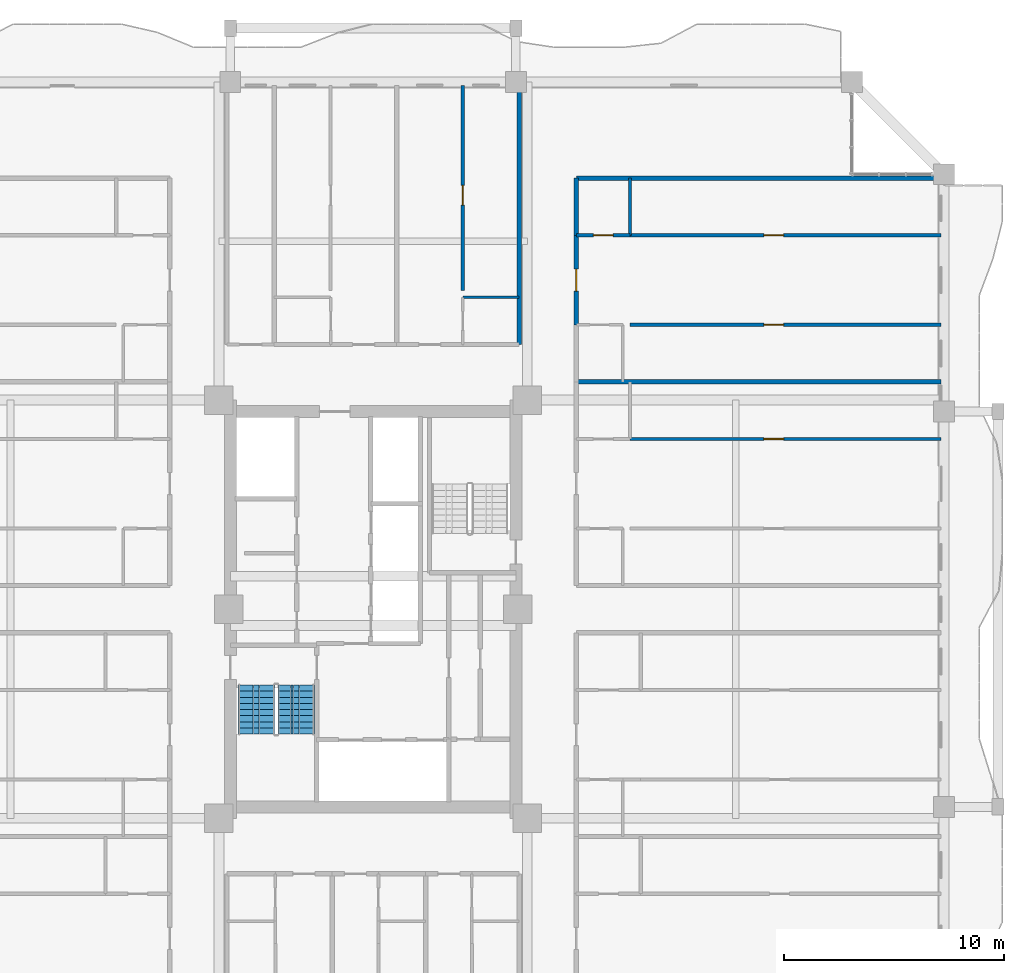
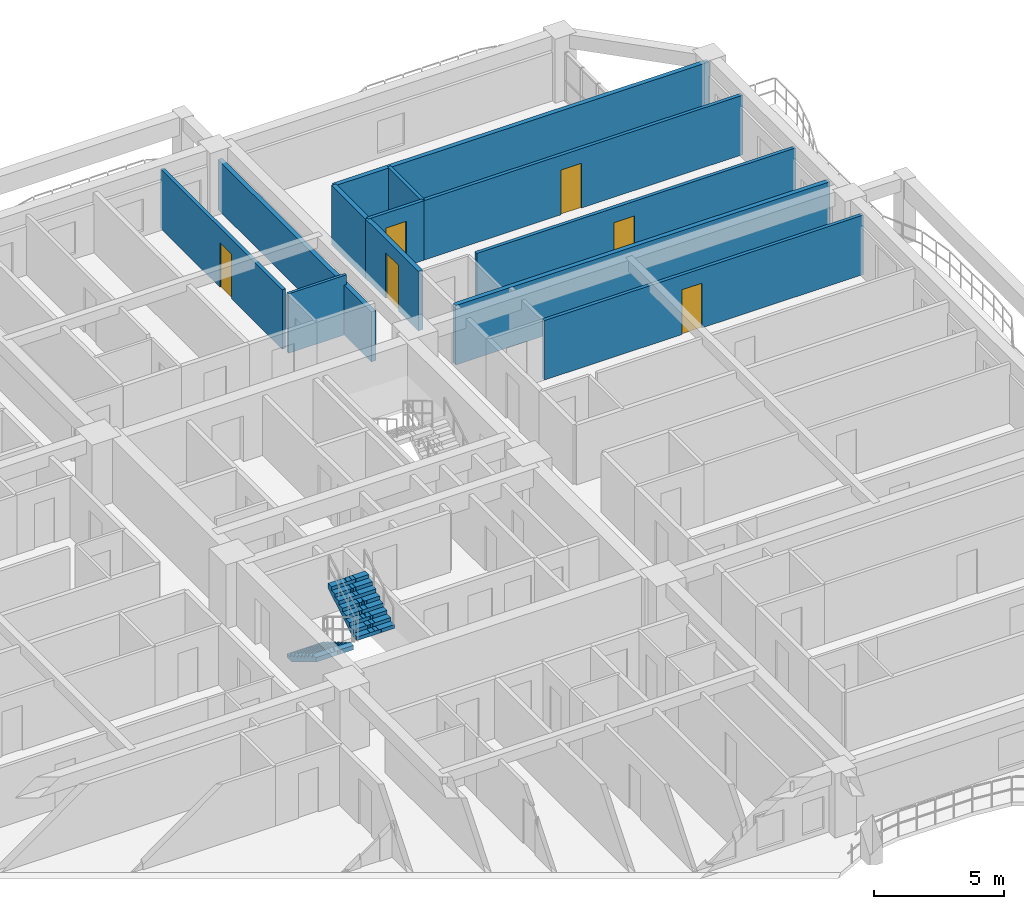
# One storey, part 20 of 25: 12 walls, 6 doors, 2 stair flights, 6 openings, 1 element without a shape of its own.
"""IFC4 building model written with IfcOpenShell, lengths in metres."""

from ifc_helpers import new_model, si_unit, direction, frame, frame_2d, origin, place, context, subcontext, project, spatial, polyline, rectangle, outline, extrude, source, transform, mapped, material, layer, layer_set, type_object, element, fill, aggregate, save


model = new_model("IFC4")

# Units and contexts
model_context = context("Model", 3, precision=1e-05, world=origin(), true_north=direction((0.0, 1.0)))
body_context = subcontext(model_context, "Body", "Model", "MODEL_VIEW")
ifc_project = project(units=[si_unit("LENGTHUNIT", "METRE"), si_unit("AREAUNIT", "SQUARE_METRE"), si_unit("VOLUMEUNIT", "CUBIC_METRE"), si_unit("PLANEANGLEUNIT", "RADIAN"), si_unit("MASSUNIT", "GRAM", prefix="KILO")], contexts=[model_context])

# Site, building, storey
site_placement = place(None, origin())
site = spatial("IfcSite", under=ifc_project, at=site_placement, CompositionType="ELEMENT")
building_placement = place(site_placement, origin())
building = spatial("IfcBuilding", under=site, at=building_placement, Name="Saelheon Loggia Tower", CompositionType="ELEMENT")
storey_placement = place(building_placement, frame((0.0, 0.0, 107.85009765625)))
storey = spatial("IfcBuildingStorey", under=building, at=storey_placement, Name="L34", CompositionType="ELEMENT", Elevation=107.85009765625)

# Wall, opening, door
ifc_material_1 = material(Name="Lightweight Autoclaved Aerated Concrete Block and Acoustic Gypsum", Category="concrete")
ifc_layer_1 = layer(ifc_material_1, 0.14990234375)
ifc_layer_set_1 = layer_set([ifc_layer_1], Name="Lightweight Autoclaved Aerated Concrete Block and Acoustic Gypsum")
wall_type_1 = type_object("IfcWallType", Name="Wall_Part_150", PredefinedType="PARTITIONING", material=ifc_layer_set_1)
wall_1_placement = place(storey_placement, frame((42.08544921875, 41.5, 0.0), z_axis=(0.0, 0.0, 1.0), x_axis=(0.0, 1.0, 0.0)))
wall_1 = element("IfcWall", 1, at=wall_1_placement, inside=storey, type_object=wall_type_1, Name="L34 N Partition U15", PredefinedType="PARTITIONING", context=body_context, shape_type="SweptSolid", body=[
    extrude(rectangle(XDim=9.35009765625, YDim=0.14990234375, at=frame_2d((4.675048828125, 0.0))), origin(), (0.0, 0.0, 1.0), 2.789794921875),
])
opening_1_placement = place(wall_1_placement, frame((3.892822265625, 0.0, 0.0)))
opening_1 = element("IfcOpeningElement", 2, at=opening_1_placement, cuts=wall_1, Name="Opening D-IN2", PredefinedType="OPENING", context=body_context, shape_type="SweptSolid", body=[
    extrude(rectangle(XDim=0.89990234375, YDim=2.10009765625, at=frame_2d((0.449951171875, 1.050048828125))), frame((0.0, 0.0869140625, 0.0), z_axis=(0.0, -1.0, 0.0), x_axis=(1.0, 0.0, 0.0)), (0.0, 0.0, 1.0), 0.173828125),
])
ifc_material_2 = material(Name="Engineered Oak Flush Door", Category="timber")
door_type_1 = type_object("IfcDoorType", Name="Door_Int_900", OperationType="NOTDEFINED", PredefinedType="DOOR", material=ifc_material_2)
shared_shape_1 = source(origin(), body_context, "Body", "SweptSolid", [
    extrude(rectangle(XDim=0.89990234375, YDim=2.10009765625, at=frame_2d((0.449951171875, 1.050048828125))), frame((0.0, 0.02490234375, 0.0), z_axis=(0.0, -1.0, 0.0), x_axis=(1.0, 0.0, 0.0)), (0.0, 0.0, 1.0), 0.050048828125),
])
door_1_placement = place(opening_1_placement, origin())
door_1 = element("IfcDoor", 3, at=door_1_placement, inside=storey, type_object=door_type_1, Name="Unit U05 Kitchen Door", OperationType="SINGLE_SWING_LEFT", OverallHeight=2.10009765625, OverallWidth=0.89990234375, PredefinedType="DOOR", context=body_context, shape_type="MappedRepresentation", body=[
    mapped(shared_shape_1, transform((0.0, 0.0, 0.0), scale=1.0)),
])
fill(opening_1, door_1)

wall_2_placement = place(storey_placement, frame((49.699951171875, 34.75, 0.0), z_axis=(0.0, 0.0, 1.0), x_axis=(1.0, 0.0, 0.0)))
wall_2 = element("IfcWall", 4, at=wall_2_placement, inside=storey, type_object=wall_type_1, Name="L34 EN Partition U11", PredefinedType="PARTITIONING", context=body_context, shape_type="SweptSolid", body=[
    extrude(rectangle(XDim=14.150146484375, YDim=0.14990234375, at=frame_2d((7.0751953125, 0.0))), origin(), (0.0, 0.0, 1.0), 2.789794921875),
])
opening_2_placement = place(wall_2_placement, frame((6.093017578125, 0.0, 0.0)))
opening_2 = element("IfcOpeningElement", 5, at=opening_2_placement, cuts=wall_2, Name="Opening D-IN2", PredefinedType="OPENING", context=body_context, shape_type="SweptSolid", body=[
    extrude(rectangle(XDim=0.89990234375, YDim=2.10009765625, at=frame_2d((0.449951171875, 1.050048828125))), frame((0.0, 0.0869140625, 0.0), z_axis=(0.0, -1.0, 0.0), x_axis=(1.0, 0.0, 0.0)), (0.0, 0.0, 1.0), 0.173828125),
])
door_2_placement = place(opening_2_placement, origin())
door_2 = element("IfcDoor", 6, at=door_2_placement, inside=storey, type_object=door_type_1, Name="Unit U12 Bedroom 1 Door", OperationType="SINGLE_SWING_RIGHT", OverallHeight=2.10009765625, OverallWidth=0.89990234375, PredefinedType="DOOR", context=body_context, shape_type="MappedRepresentation", body=[
    mapped(shared_shape_1, transform((0.0, 0.0, 0.0), scale=1.0)),
])
fill(opening_2, door_2)

# Wall
wall_3_placement = place(storey_placement, frame((49.699951171875, 44.02001953125, 0.0), z_axis=(0.0, 0.0, 1.0), x_axis=(0.0, 1.0, 0.0)))
element("IfcWall", 7, at=wall_3_placement, inside=storey, type_object=wall_type_1, Name="L34 EN Partition V17", PredefinedType="PARTITIONING", context=body_context, shape_type="SweptSolid", body=[
    extrude(rectangle(XDim=2.60009765625, YDim=0.14990234375, at=frame_2d((1.300048828125, 0.0))), origin(), (0.0, 0.0, 1.0), 2.789794921875),
])

# Wall, opening, door
wall_4_placement = place(storey_placement, frame((49.699951171875, 39.945556640625, 0.0), z_axis=(0.0, 0.0, 1.0), x_axis=(1.0, 0.0, 0.0)))
wall_4 = element("IfcWall", 8, at=wall_4_placement, inside=storey, type_object=wall_type_1, Name="L34 EN Partition U19", PredefinedType="PARTITIONING", context=body_context, shape_type="SweptSolid", body=[
    extrude(rectangle(XDim=14.150146484375, YDim=0.14990234375, at=frame_2d((7.0751953125, 0.0))), origin(), (0.0, 0.0, 1.0), 2.789794921875),
])
opening_3_placement = place(wall_4_placement, frame((6.093017578125, 0.0, 0.0)))
opening_3 = element("IfcOpeningElement", 9, at=opening_3_placement, cuts=wall_4, Name="Opening D-IN2", PredefinedType="OPENING", context=body_context, shape_type="SweptSolid", body=[
    extrude(rectangle(XDim=0.89990234375, YDim=2.10009765625, at=frame_2d((0.449951171875, 1.050048828125))), frame((0.0, 0.0869140625, 0.0), z_axis=(0.0, -1.0, 0.0), x_axis=(1.0, 0.0, 0.0)), (0.0, 0.0, 1.0), 0.173828125),
])
door_3_placement = place(opening_3_placement, origin())
door_3 = element("IfcDoor", 10, at=door_3_placement, inside=storey, type_object=door_type_1, Name="Unit U13 Kitchen Door", OperationType="SINGLE_SWING_LEFT", OverallHeight=2.10009765625, OverallWidth=0.89990234375, PredefinedType="DOOR", context=body_context, shape_type="MappedRepresentation", body=[
    mapped(shared_shape_1, transform((0.0, 0.0, 0.0), scale=1.0)),
])
fill(opening_3, door_3)

wall_5_placement = place(storey_placement, frame((47.25, 44.02001953125, 0.0), z_axis=(0.0, 0.0, 1.0), x_axis=(1.0, 0.0, 0.0)))
wall_5 = element("IfcWall", 11, at=wall_5_placement, inside=storey, type_object=wall_type_1, Name="L34 EN Partition U20", PredefinedType="PARTITIONING", context=body_context, shape_type="SweptSolid", body=[
    extrude(rectangle(XDim=2.449951171875, YDim=0.14990234375, at=frame_2d((1.22509765625, 0.0))), origin(), (0.0, 0.0, 1.0), 2.789794921875),
])
opening_4_placement = place(wall_5_placement, frame((0.77490234375, 0.0, 0.0)))
opening_4 = element("IfcOpeningElement", 12, at=opening_4_placement, cuts=wall_5, Name="Opening D-IN2", PredefinedType="OPENING", context=body_context, shape_type="SweptSolid", body=[
    extrude(rectangle(XDim=0.89990234375, YDim=2.10009765625, at=frame_2d((0.449951171875, 1.050048828125))), frame((0.0, 0.0869140625, 0.0), z_axis=(0.0, -1.0, 0.0), x_axis=(1.0, 0.0, 0.0)), (0.0, 0.0, 1.0), 0.173828125),
])
door_4_placement = place(opening_4_placement, origin())
door_4 = element("IfcDoor", 13, at=door_4_placement, inside=storey, type_object=door_type_1, Name="Unit U13 Dressing Closet Door", OperationType="SINGLE_SWING_RIGHT", OverallHeight=2.10009765625, OverallWidth=0.89990234375, PredefinedType="DOOR", context=body_context, shape_type="MappedRepresentation", body=[
    mapped(shared_shape_1, transform((0.0, 0.0, 0.0), scale=1.0)),
])
fill(opening_4, door_4)

wall_6_placement = place(storey_placement, frame((49.699951171875, 44.02001953125, 0.0), z_axis=(0.0, 0.0, 1.0), x_axis=(1.0, 0.0, 0.0)))
wall_6 = element("IfcWall", 14, at=wall_6_placement, inside=storey, type_object=wall_type_1, Name="L34 EN Partition U21", PredefinedType="PARTITIONING", context=body_context, shape_type="SweptSolid", body=[
    extrude(rectangle(XDim=14.150146484375, YDim=0.14990234375, at=frame_2d((7.0751953125, 0.0))), origin(), (0.0, 0.0, 1.0), 2.789794921875),
])
opening_5_placement = place(wall_6_placement, frame((6.093017578125, 0.0, 0.0)))
opening_5 = element("IfcOpeningElement", 15, at=opening_5_placement, cuts=wall_6, Name="Opening D-IN2", PredefinedType="OPENING", context=body_context, shape_type="SweptSolid", body=[
    extrude(rectangle(XDim=0.89990234375, YDim=2.10009765625, at=frame_2d((0.449951171875, 1.050048828125))), frame((0.0, 0.0869140625, 0.0), z_axis=(0.0, -1.0, 0.0), x_axis=(1.0, 0.0, 0.0)), (0.0, 0.0, 1.0), 0.173828125),
])
door_5_placement = place(opening_5_placement, origin())
door_5 = element("IfcDoor", 16, at=door_5_placement, inside=storey, type_object=door_type_1, Name="Unit U13 Bedroom 1 Door", OperationType="SINGLE_SWING_LEFT", OverallHeight=2.10009765625, OverallWidth=0.89990234375, PredefinedType="DOOR", context=body_context, shape_type="MappedRepresentation", body=[
    mapped(shared_shape_1, transform((0.0, 0.0, 0.0), scale=1.0)),
])
fill(opening_5, door_5)

# Walls
ifc_material_3 = material(Name="Double Acoustic Stud and Fireboard Partition", Category="gypsum")
ifc_layer_2 = layer(ifc_material_3, 0.199951171875)
ifc_layer_set_2 = layer_set([ifc_layer_2], Name="Double Acoustic Stud and Fireboard Partition")
wall_type_2 = type_object("IfcWallType", Name="Wall_Party_200", PredefinedType="PARTITIONING", material=ifc_layer_set_2)
wall_7_placement = place(storey_placement, frame((44.64990234375, 39.050048828125, 0.0), z_axis=(0.0, 0.0, 1.0), x_axis=(0.0, 1.0, 0.0)))
element("IfcWall", 17, at=wall_7_placement, inside=storey, type_object=wall_type_2, Name="L34 N Partition U02", PredefinedType="PARTITIONING", context=body_context, shape_type="SweptSolid", body=[
    extrude(rectangle(XDim=11.800048828125, YDim=0.199951171875, at=frame_2d((5.89990234375, 0.0))), origin(), (0.0, 0.0, 1.0), 2.33984375),
])
for number, where, z_axis, x_axis, name in (
    (18, (47.25, 46.6201171875, 0.0), (0.0, 0.0, 1.0), (1.0, 0.0, 0.0), "L34 EN Partition U02"),
    (19, (47.25, 37.35009765625, 0.0), (0.0, 0.0, 1.0), (1.0, 0.0, 0.0), "L34 EN Partition U12"),
):
    element("IfcWall", number, at=place(storey_placement, frame(where, z_axis=z_axis, x_axis=x_axis)), inside=storey, type_object=wall_type_2, Name=name, PredefinedType="PARTITIONING", context=body_context, shape_type="SweptSolid", body=[
        extrude(rectangle(XDim=16.60009765625, YDim=0.199951171875, at=frame_2d((8.300048828125, 0.0))), origin(), (0.0, 0.0, 1.0), 2.789794921875),
    ])

# Wall, opening, door
wall_8_placement = place(storey_placement, frame((47.25, 39.945556640625, 0.0), z_axis=(0.0, 0.0, 1.0), x_axis=(0.0, 1.0, 0.0)))
wall_8 = element("IfcWall", 20, at=wall_8_placement, inside=storey, type_object=wall_type_2, Name="L34 EN Partition V14", PredefinedType="PARTITIONING", context=body_context, shape_type="SweptSolid", body=[
    extrude(rectangle(XDim=4.074462890625, YDim=0.199951171875, at=frame_2d((2.037109375, 0.0))), origin(), (0.0, 0.0, 1.0), 2.789794921875),
])
opening_6_placement = place(wall_8_placement, frame((1.537109375, 0.0, 0.0)))
opening_6 = element("IfcOpeningElement", 21, at=opening_6_placement, cuts=wall_8, Name="Opening D-FD1", PredefinedType="OPENING", context=body_context, shape_type="SweptSolid", body=[
    extrude(rectangle(XDim=1.0, YDim=2.14990234375, at=frame_2d((0.5, 1.074951171875))), frame((0.0, 0.112060546875, 0.0), z_axis=(0.0, -1.0, 0.0), x_axis=(1.0, 0.0, 0.0)), (0.0, 0.0, 1.0), 0.223876953125),
])
ifc_material_4 = material(Name="Fire-Rated Engineered Timber Entrance Door", Category="wood")
door_type_2 = type_object("IfcDoorType", Name="Door_Flat_FD30S", OperationType="NOTDEFINED", PredefinedType="DOOR", material=ifc_material_4)
shared_shape_2 = source(origin(), body_context, "Body", "SweptSolid", [
    extrude(rectangle(XDim=1.0, YDim=2.14990234375, at=frame_2d((0.5, 1.074951171875))), frame((0.0, 0.02490234375, 0.0), z_axis=(0.0, -1.0, 0.0), x_axis=(1.0, 0.0, 0.0)), (0.0, 0.0, 1.0), 0.050048828125),
])
door_6_placement = place(opening_6_placement, origin())
door_6 = element("IfcDoor", 22, at=door_6_placement, inside=storey, type_object=door_type_2, Name="Unit U13 Entrance Door", OperationType="SINGLE_SWING_LEFT", OverallHeight=2.14990234375, OverallWidth=1.0, PredefinedType="DOOR", context=body_context, shape_type="MappedRepresentation", body=[
    mapped(shared_shape_2, transform((0.0, 0.0, 0.0), scale=1.0)),
])
fill(opening_6, door_6)

# Walls
wall_9_placement = place(storey_placement, frame((47.25, 44.02001953125, 0.0), z_axis=(0.0, 0.0, 1.0), x_axis=(0.0, 1.0, 0.0)))
element("IfcWall", 23, at=wall_9_placement, inside=storey, type_object=wall_type_2, Name="L34 EN Partition V15", PredefinedType="PARTITIONING", context=body_context, shape_type="SweptSolid", body=[
    extrude(rectangle(XDim=2.60009765625, YDim=0.199951171875, at=frame_2d((1.300048828125, 0.0))), origin(), (0.0, 0.0, 1.0), 2.789794921875),
])
ifc_material_5 = material(Name="Moisture-Resistant Cement Board Partition", Category="gypsum")
ifc_layer_3 = layer(ifc_material_5, 0.1201171875)
ifc_layer_set_3 = layer_set([ifc_layer_3], Name="Moisture-Resistant Cement Board Partition")
wall_type_3 = type_object("IfcWallType", Name="Wall_WetPart_120", PredefinedType="PARTITIONING", material=ifc_layer_set_3)
wall_10_placement = place(storey_placement, frame((42.08544921875, 41.199951171875, 0.0), z_axis=(0.0, 0.0, 1.0), x_axis=(1.0, 0.0, 0.0)))
element("IfcWall", 24, at=wall_10_placement, inside=storey, type_object=wall_type_3, Name="L34 N Partition V14", PredefinedType="PARTITIONING", context=body_context, shape_type="SweptSolid", body=[
    extrude(rectangle(XDim=2.564453125, YDim=0.1201171875, at=frame_2d((1.2822265625, 0.0))), origin(), (0.0, 0.0, 1.0), 2.789794921875),
])

# Stair, stair flights
ifc_material_6 = material(Name="Concrete C40/50", Category="concrete")
stair_type = type_object("IfcStairType", Name="Stair_Escape_Core", PredefinedType="HALF_TURN_STAIR", material=ifc_material_6)
stair_placement = place(storey_placement, origin())
stair = element("IfcStair", 25, at=stair_placement, inside=storey, type_object=stair_type, Name="L34 Special Escape Stair ST1", PredefinedType="HALF_TURN_STAIR")
stair_flight_type = type_object("IfcStairFlightType", Name="StairFlight_Tower_1660", PredefinedType="STRAIGHT", material=ifc_material_6)
stair_flight_1_placement = place(storey_placement, frame((32.679931640625, 23.550048828125, 0.0), z_axis=(0.0, 0.0, 1.0), x_axis=(0.0, -1.0, 0.0)))
stair_flight_1 = element("IfcStairFlight", 26, at=stair_flight_1_placement, type_object=stair_flight_type, Name="ST1 flight 1", NumberOfRisers=9, NumberOfTreads=8, PredefinedType="STRAIGHT", RiserHeight=0.166666667, TreadLength=0.28, context=body_context, shape_type="SweptSolid", body=[
    extrude(outline(polyline([(0.0, 0.0), (0.0, 0.166748046875), (0.280029296875, 0.166748046875), (0.280029296875, 0.333251953125), (0.56005859375, 0.333251953125), (0.56005859375, 0.5), (0.840087890625, 0.5), (0.840087890625, 0.666748046875), (1.1201171875, 0.666748046875), (1.1201171875, 0.833251953125), (1.39990234375, 0.833251953125), (1.39990234375, 1.0), (1.679931640625, 1.0), (1.679931640625, 1.166748046875), (1.9599609375, 1.166748046875), (1.9599609375, 1.333251953125), (2.239990234375, 1.333251953125), (2.239990234375, 1.5), (2.239990234375, 1.1240234375), (0.351806640625, 0.0), (0.0, 0.0)])), frame((0.0, -0.2490234375, 0.0), z_axis=(0.0, -1.0, 0.0), x_axis=(1.0, 0.0, 0.0)), (0.0, 0.0, 1.0), 0.5810546875),
    extrude(outline(polyline([(0.0, 0.0), (0.0, 0.166748046875), (0.280029296875, 0.166748046875), (0.280029296875, 0.333251953125), (0.56005859375, 0.333251953125), (0.56005859375, 0.5), (0.840087890625, 0.5), (0.840087890625, 0.666748046875), (1.1201171875, 0.666748046875), (1.1201171875, 0.833251953125), (1.39990234375, 0.833251953125), (1.39990234375, 1.0), (1.679931640625, 1.0), (1.679931640625, 1.166748046875), (1.9599609375, 1.166748046875), (1.9599609375, 1.333251953125), (2.239990234375, 1.333251953125), (2.239990234375, 1.5), (2.239990234375, 1.1240234375), (0.351806640625, 0.0), (0.0, 0.0)])), frame((0.0, -0.194091796875, 0.0), z_axis=(0.0, -1.0, 0.0), x_axis=(1.0, 0.0, 0.0)), (0.0, 0.0, 1.0), 0.0498046875),
    extrude(outline(polyline([(0.0, 0.0), (0.0, 0.166748046875), (0.280029296875, 0.166748046875), (0.280029296875, 0.333251953125), (0.56005859375, 0.333251953125), (0.56005859375, 0.5), (0.840087890625, 0.5), (0.840087890625, 0.666748046875), (1.1201171875, 0.666748046875), (1.1201171875, 0.833251953125), (1.39990234375, 0.833251953125), (1.39990234375, 1.0), (1.679931640625, 1.0), (1.679931640625, 1.166748046875), (1.9599609375, 1.166748046875), (1.9599609375, 1.333251953125), (2.239990234375, 1.333251953125), (2.239990234375, 1.5), (2.239990234375, 1.1240234375), (0.351806640625, 0.0), (0.0, 0.0)])), frame((0.0, -0.139404296875, 0.0), z_axis=(0.0, -1.0, 0.0), x_axis=(1.0, 0.0, 0.0)), (0.0, 0.0, 1.0), 0.0498046875),
    extrude(outline(polyline([(0.0, 0.0), (0.0, 0.166748046875), (0.280029296875, 0.166748046875), (0.280029296875, 0.333251953125), (0.56005859375, 0.333251953125), (0.56005859375, 0.5), (0.840087890625, 0.5), (0.840087890625, 0.666748046875), (1.1201171875, 0.666748046875), (1.1201171875, 0.833251953125), (1.39990234375, 0.833251953125), (1.39990234375, 1.0), (1.679931640625, 1.0), (1.679931640625, 1.166748046875), (1.9599609375, 1.166748046875), (1.9599609375, 1.333251953125), (2.239990234375, 1.333251953125), (2.239990234375, 1.5), (2.239990234375, 1.1240234375), (0.351806640625, 0.0), (0.0, 0.0)])), frame((0.0, -0.084716796875, 0.0), z_axis=(0.0, -1.0, 0.0), x_axis=(1.0, 0.0, 0.0)), (0.0, 0.0, 1.0), 0.0498046875),
    extrude(outline(polyline([(0.0, 0.0), (0.0, 0.166748046875), (0.280029296875, 0.166748046875), (0.280029296875, 0.333251953125), (0.56005859375, 0.333251953125), (0.56005859375, 0.5), (0.840087890625, 0.5), (0.840087890625, 0.666748046875), (1.1201171875, 0.666748046875), (1.1201171875, 0.833251953125), (1.39990234375, 0.833251953125), (1.39990234375, 1.0), (1.679931640625, 1.0), (1.679931640625, 1.166748046875), (1.9599609375, 1.166748046875), (1.9599609375, 1.333251953125), (2.239990234375, 1.333251953125), (2.239990234375, 1.5), (2.239990234375, 1.1240234375), (0.351806640625, 0.0), (0.0, 0.0)])), frame((0.0, -0.02978515625, 0.0), z_axis=(0.0, -1.0, 0.0), x_axis=(1.0, 0.0, 0.0)), (0.0, 0.0, 1.0), 0.0498046875),
    extrude(outline(polyline([(0.0, 0.0), (0.0, 0.166748046875), (0.280029296875, 0.166748046875), (0.280029296875, 0.333251953125), (0.56005859375, 0.333251953125), (0.56005859375, 0.5), (0.840087890625, 0.5), (0.840087890625, 0.666748046875), (1.1201171875, 0.666748046875), (1.1201171875, 0.833251953125), (1.39990234375, 0.833251953125), (1.39990234375, 1.0), (1.679931640625, 1.0), (1.679931640625, 1.166748046875), (1.9599609375, 1.166748046875), (1.9599609375, 1.333251953125), (2.239990234375, 1.333251953125), (2.239990234375, 1.5), (2.239990234375, 1.1240234375), (0.351806640625, 0.0), (0.0, 0.0)])), frame((0.0, 0.02490234375, 0.0), z_axis=(0.0, -1.0, 0.0), x_axis=(1.0, 0.0, 0.0)), (0.0, 0.0, 1.0), 0.0498046875),
    extrude(outline(polyline([(0.0, 0.0), (0.0, 0.166748046875), (0.280029296875, 0.166748046875), (0.280029296875, 0.333251953125), (0.56005859375, 0.333251953125), (0.56005859375, 0.5), (0.840087890625, 0.5), (0.840087890625, 0.666748046875), (1.1201171875, 0.666748046875), (1.1201171875, 0.833251953125), (1.39990234375, 0.833251953125), (1.39990234375, 1.0), (1.679931640625, 1.0), (1.679931640625, 1.166748046875), (1.9599609375, 1.166748046875), (1.9599609375, 1.333251953125), (2.239990234375, 1.333251953125), (2.239990234375, 1.5), (2.239990234375, 1.1240234375), (0.351806640625, 0.0), (0.0, 0.0)])), frame((0.0, 0.07958984375, 0.0), z_axis=(0.0, -1.0, 0.0), x_axis=(1.0, 0.0, 0.0)), (0.0, 0.0, 1.0), 0.0498046875),
    extrude(outline(polyline([(0.0, 0.0), (0.0, 0.166748046875), (0.280029296875, 0.166748046875), (0.280029296875, 0.333251953125), (0.56005859375, 0.333251953125), (0.56005859375, 0.5), (0.840087890625, 0.5), (0.840087890625, 0.666748046875), (1.1201171875, 0.666748046875), (1.1201171875, 0.833251953125), (1.39990234375, 0.833251953125), (1.39990234375, 1.0), (1.679931640625, 1.0), (1.679931640625, 1.166748046875), (1.9599609375, 1.166748046875), (1.9599609375, 1.333251953125), (2.239990234375, 1.333251953125), (2.239990234375, 1.5), (2.239990234375, 1.1240234375), (0.351806640625, 0.0), (0.0, 0.0)])), frame((0.0, 0.134521484375, 0.0), z_axis=(0.0, -1.0, 0.0), x_axis=(1.0, 0.0, 0.0)), (0.0, 0.0, 1.0), 0.0498046875),
    extrude(outline(polyline([(0.0, 0.0), (0.0, 0.166748046875), (0.280029296875, 0.166748046875), (0.280029296875, 0.333251953125), (0.56005859375, 0.333251953125), (0.56005859375, 0.5), (0.840087890625, 0.5), (0.840087890625, 0.666748046875), (1.1201171875, 0.666748046875), (1.1201171875, 0.833251953125), (1.39990234375, 0.833251953125), (1.39990234375, 1.0), (1.679931640625, 1.0), (1.679931640625, 1.166748046875), (1.9599609375, 1.166748046875), (1.9599609375, 1.333251953125), (2.239990234375, 1.333251953125), (2.239990234375, 1.5), (2.239990234375, 1.1240234375), (0.351806640625, 0.0), (0.0, 0.0)])), frame((0.0, 0.189208984375, 0.0), z_axis=(0.0, -1.0, 0.0), x_axis=(1.0, 0.0, 0.0)), (0.0, 0.0, 1.0), 0.0498046875),
    extrude(outline(polyline([(0.0, 0.0), (0.0, 0.166748046875), (0.280029296875, 0.166748046875), (0.280029296875, 0.333251953125), (0.56005859375, 0.333251953125), (0.56005859375, 0.5), (0.840087890625, 0.5), (0.840087890625, 0.666748046875), (1.1201171875, 0.666748046875), (1.1201171875, 0.833251953125), (1.39990234375, 0.833251953125), (1.39990234375, 1.0), (1.679931640625, 1.0), (1.679931640625, 1.166748046875), (1.9599609375, 1.166748046875), (1.9599609375, 1.333251953125), (2.239990234375, 1.333251953125), (2.239990234375, 1.5), (2.239990234375, 1.1240234375), (0.351806640625, 0.0), (0.0, 0.0)])), frame((0.0, 0.243896484375, 0.0), z_axis=(0.0, -1.0, 0.0), x_axis=(1.0, 0.0, 0.0)), (0.0, 0.0, 1.0), 0.0498046875),
    extrude(outline(polyline([(0.0, 0.0), (0.0, 0.166748046875), (0.280029296875, 0.166748046875), (0.280029296875, 0.333251953125), (0.56005859375, 0.333251953125), (0.56005859375, 0.5), (0.840087890625, 0.5), (0.840087890625, 0.666748046875), (1.1201171875, 0.666748046875), (1.1201171875, 0.833251953125), (1.39990234375, 0.833251953125), (1.39990234375, 1.0), (1.679931640625, 1.0), (1.679931640625, 1.166748046875), (1.9599609375, 1.166748046875), (1.9599609375, 1.333251953125), (2.239990234375, 1.333251953125), (2.239990234375, 1.5), (2.239990234375, 1.1240234375), (0.351806640625, 0.0), (0.0, 0.0)])), frame((0.0, 0.830078125, 0.0), z_axis=(0.0, -1.0, 0.0), x_axis=(1.0, 0.0, 0.0)), (0.0, 0.0, 1.0), 0.5810546875),
])
stair_flight_2_placement = place(storey_placement, frame((34.5, 21.31005859375, 1.5), z_axis=(0.0, 0.0, 1.0), x_axis=(0.0, 1.0, 0.0)))
stair_flight_2 = element("IfcStairFlight", 27, at=stair_flight_2_placement, type_object=stair_flight_type, Name="ST1 flight 2", NumberOfRisers=9, NumberOfTreads=8, PredefinedType="STRAIGHT", RiserHeight=0.166666667, TreadLength=0.28, context=body_context, shape_type="SweptSolid", body=[
    extrude(outline(polyline([(0.0, 0.0), (0.0, 0.166748046875), (0.280029296875, 0.166748046875), (0.280029296875, 0.333251953125), (0.56005859375, 0.333251953125), (0.56005859375, 0.5), (0.840087890625, 0.5), (0.840087890625, 0.666748046875), (1.1201171875, 0.666748046875), (1.1201171875, 0.833251953125), (1.39990234375, 0.833251953125), (1.39990234375, 1.0), (1.679931640625, 1.0), (1.679931640625, 1.166748046875), (1.9599609375, 1.166748046875), (1.9599609375, 1.333251953125), (2.239990234375, 1.333251953125), (2.239990234375, 1.5), (2.239990234375, 1.1240234375), (0.351806640625, 0.0), (0.0, 0.0)])), frame((0.0, -0.2490234375, 0.0), z_axis=(0.0, -1.0, 0.0), x_axis=(1.0, 0.0, 0.0)), (0.0, 0.0, 1.0), 0.5810546875),
    extrude(outline(polyline([(0.0, 0.0), (0.0, 0.166748046875), (0.280029296875, 0.166748046875), (0.280029296875, 0.333251953125), (0.56005859375, 0.333251953125), (0.56005859375, 0.5), (0.840087890625, 0.5), (0.840087890625, 0.666748046875), (1.1201171875, 0.666748046875), (1.1201171875, 0.833251953125), (1.39990234375, 0.833251953125), (1.39990234375, 1.0), (1.679931640625, 1.0), (1.679931640625, 1.166748046875), (1.9599609375, 1.166748046875), (1.9599609375, 1.333251953125), (2.239990234375, 1.333251953125), (2.239990234375, 1.5), (2.239990234375, 1.1240234375), (0.351806640625, 0.0), (0.0, 0.0)])), frame((0.0, -0.194091796875, 0.0), z_axis=(0.0, -1.0, 0.0), x_axis=(1.0, 0.0, 0.0)), (0.0, 0.0, 1.0), 0.0498046875),
    extrude(outline(polyline([(0.0, 0.0), (0.0, 0.166748046875), (0.280029296875, 0.166748046875), (0.280029296875, 0.333251953125), (0.56005859375, 0.333251953125), (0.56005859375, 0.5), (0.840087890625, 0.5), (0.840087890625, 0.666748046875), (1.1201171875, 0.666748046875), (1.1201171875, 0.833251953125), (1.39990234375, 0.833251953125), (1.39990234375, 1.0), (1.679931640625, 1.0), (1.679931640625, 1.166748046875), (1.9599609375, 1.166748046875), (1.9599609375, 1.333251953125), (2.239990234375, 1.333251953125), (2.239990234375, 1.5), (2.239990234375, 1.1240234375), (0.351806640625, 0.0), (0.0, 0.0)])), frame((0.0, -0.139404296875, 0.0), z_axis=(0.0, -1.0, 0.0), x_axis=(1.0, 0.0, 0.0)), (0.0, 0.0, 1.0), 0.0498046875),
    extrude(outline(polyline([(0.0, 0.0), (0.0, 0.166748046875), (0.280029296875, 0.166748046875), (0.280029296875, 0.333251953125), (0.56005859375, 0.333251953125), (0.56005859375, 0.5), (0.840087890625, 0.5), (0.840087890625, 0.666748046875), (1.1201171875, 0.666748046875), (1.1201171875, 0.833251953125), (1.39990234375, 0.833251953125), (1.39990234375, 1.0), (1.679931640625, 1.0), (1.679931640625, 1.166748046875), (1.9599609375, 1.166748046875), (1.9599609375, 1.333251953125), (2.239990234375, 1.333251953125), (2.239990234375, 1.5), (2.239990234375, 1.1240234375), (0.351806640625, 0.0), (0.0, 0.0)])), frame((0.0, -0.084716796875, 0.0), z_axis=(0.0, -1.0, 0.0), x_axis=(1.0, 0.0, 0.0)), (0.0, 0.0, 1.0), 0.0498046875),
    extrude(outline(polyline([(0.0, 0.0), (0.0, 0.166748046875), (0.280029296875, 0.166748046875), (0.280029296875, 0.333251953125), (0.56005859375, 0.333251953125), (0.56005859375, 0.5), (0.840087890625, 0.5), (0.840087890625, 0.666748046875), (1.1201171875, 0.666748046875), (1.1201171875, 0.833251953125), (1.39990234375, 0.833251953125), (1.39990234375, 1.0), (1.679931640625, 1.0), (1.679931640625, 1.166748046875), (1.9599609375, 1.166748046875), (1.9599609375, 1.333251953125), (2.239990234375, 1.333251953125), (2.239990234375, 1.5), (2.239990234375, 1.1240234375), (0.351806640625, 0.0), (0.0, 0.0)])), frame((0.0, -0.02978515625, 0.0), z_axis=(0.0, -1.0, 0.0), x_axis=(1.0, 0.0, 0.0)), (0.0, 0.0, 1.0), 0.0498046875),
    extrude(outline(polyline([(0.0, 0.0), (0.0, 0.166748046875), (0.280029296875, 0.166748046875), (0.280029296875, 0.333251953125), (0.56005859375, 0.333251953125), (0.56005859375, 0.5), (0.840087890625, 0.5), (0.840087890625, 0.666748046875), (1.1201171875, 0.666748046875), (1.1201171875, 0.833251953125), (1.39990234375, 0.833251953125), (1.39990234375, 1.0), (1.679931640625, 1.0), (1.679931640625, 1.166748046875), (1.9599609375, 1.166748046875), (1.9599609375, 1.333251953125), (2.239990234375, 1.333251953125), (2.239990234375, 1.5), (2.239990234375, 1.1240234375), (0.351806640625, 0.0), (0.0, 0.0)])), frame((0.0, 0.02490234375, 0.0), z_axis=(0.0, -1.0, 0.0), x_axis=(1.0, 0.0, 0.0)), (0.0, 0.0, 1.0), 0.0498046875),
    extrude(outline(polyline([(0.0, 0.0), (0.0, 0.166748046875), (0.280029296875, 0.166748046875), (0.280029296875, 0.333251953125), (0.56005859375, 0.333251953125), (0.56005859375, 0.5), (0.840087890625, 0.5), (0.840087890625, 0.666748046875), (1.1201171875, 0.666748046875), (1.1201171875, 0.833251953125), (1.39990234375, 0.833251953125), (1.39990234375, 1.0), (1.679931640625, 1.0), (1.679931640625, 1.166748046875), (1.9599609375, 1.166748046875), (1.9599609375, 1.333251953125), (2.239990234375, 1.333251953125), (2.239990234375, 1.5), (2.239990234375, 1.1240234375), (0.351806640625, 0.0), (0.0, 0.0)])), frame((0.0, 0.07958984375, 0.0), z_axis=(0.0, -1.0, 0.0), x_axis=(1.0, 0.0, 0.0)), (0.0, 0.0, 1.0), 0.0498046875),
    extrude(outline(polyline([(0.0, 0.0), (0.0, 0.166748046875), (0.280029296875, 0.166748046875), (0.280029296875, 0.333251953125), (0.56005859375, 0.333251953125), (0.56005859375, 0.5), (0.840087890625, 0.5), (0.840087890625, 0.666748046875), (1.1201171875, 0.666748046875), (1.1201171875, 0.833251953125), (1.39990234375, 0.833251953125), (1.39990234375, 1.0), (1.679931640625, 1.0), (1.679931640625, 1.166748046875), (1.9599609375, 1.166748046875), (1.9599609375, 1.333251953125), (2.239990234375, 1.333251953125), (2.239990234375, 1.5), (2.239990234375, 1.1240234375), (0.351806640625, 0.0), (0.0, 0.0)])), frame((0.0, 0.134521484375, 0.0), z_axis=(0.0, -1.0, 0.0), x_axis=(1.0, 0.0, 0.0)), (0.0, 0.0, 1.0), 0.0498046875),
    extrude(outline(polyline([(0.0, 0.0), (0.0, 0.166748046875), (0.280029296875, 0.166748046875), (0.280029296875, 0.333251953125), (0.56005859375, 0.333251953125), (0.56005859375, 0.5), (0.840087890625, 0.5), (0.840087890625, 0.666748046875), (1.1201171875, 0.666748046875), (1.1201171875, 0.833251953125), (1.39990234375, 0.833251953125), (1.39990234375, 1.0), (1.679931640625, 1.0), (1.679931640625, 1.166748046875), (1.9599609375, 1.166748046875), (1.9599609375, 1.333251953125), (2.239990234375, 1.333251953125), (2.239990234375, 1.5), (2.239990234375, 1.1240234375), (0.351806640625, 0.0), (0.0, 0.0)])), frame((0.0, 0.189208984375, 0.0), z_axis=(0.0, -1.0, 0.0), x_axis=(1.0, 0.0, 0.0)), (0.0, 0.0, 1.0), 0.0498046875),
    extrude(outline(polyline([(0.0, 0.0), (0.0, 0.166748046875), (0.280029296875, 0.166748046875), (0.280029296875, 0.333251953125), (0.56005859375, 0.333251953125), (0.56005859375, 0.5), (0.840087890625, 0.5), (0.840087890625, 0.666748046875), (1.1201171875, 0.666748046875), (1.1201171875, 0.833251953125), (1.39990234375, 0.833251953125), (1.39990234375, 1.0), (1.679931640625, 1.0), (1.679931640625, 1.166748046875), (1.9599609375, 1.166748046875), (1.9599609375, 1.333251953125), (2.239990234375, 1.333251953125), (2.239990234375, 1.5), (2.239990234375, 1.1240234375), (0.351806640625, 0.0), (0.0, 0.0)])), frame((0.0, 0.243896484375, 0.0), z_axis=(0.0, -1.0, 0.0), x_axis=(1.0, 0.0, 0.0)), (0.0, 0.0, 1.0), 0.0498046875),
    extrude(outline(polyline([(0.0, 0.0), (0.0, 0.166748046875), (0.280029296875, 0.166748046875), (0.280029296875, 0.333251953125), (0.56005859375, 0.333251953125), (0.56005859375, 0.5), (0.840087890625, 0.5), (0.840087890625, 0.666748046875), (1.1201171875, 0.666748046875), (1.1201171875, 0.833251953125), (1.39990234375, 0.833251953125), (1.39990234375, 1.0), (1.679931640625, 1.0), (1.679931640625, 1.166748046875), (1.9599609375, 1.166748046875), (1.9599609375, 1.333251953125), (2.239990234375, 1.333251953125), (2.239990234375, 1.5), (2.239990234375, 1.1240234375), (0.351806640625, 0.0), (0.0, 0.0)])), frame((0.0, 0.830078125, 0.0), z_axis=(0.0, -1.0, 0.0), x_axis=(1.0, 0.0, 0.0)), (0.0, 0.0, 1.0), 0.5810546875),
])
aggregate(stair, [stair_flight_1, stair_flight_2])

save(model, "model.ifc")
